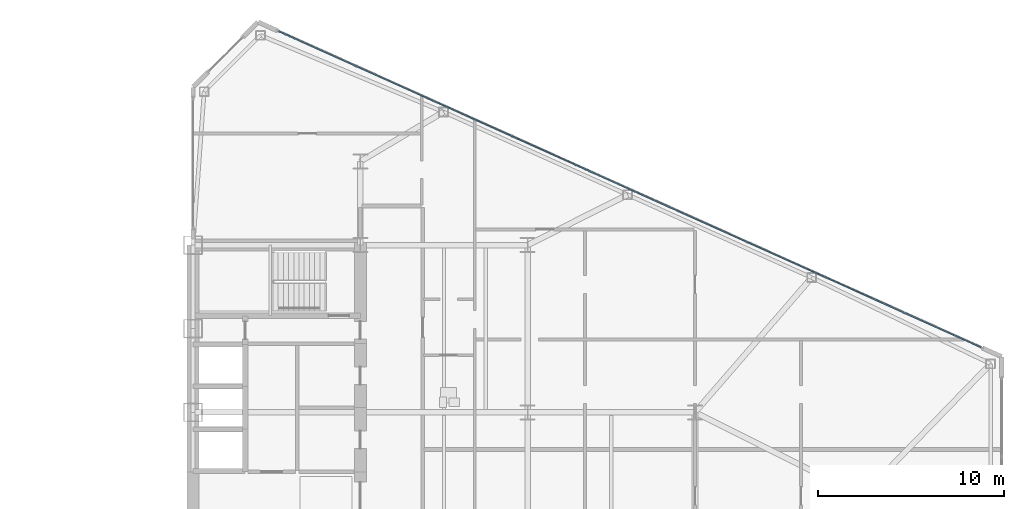
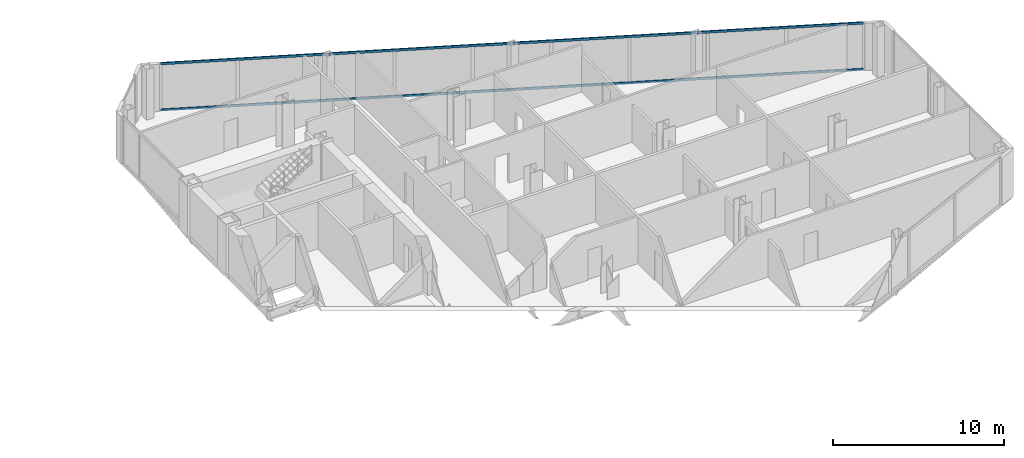
# One storey, part 14 of 27: 2 members, 1 element without a shape of its own.
"""IFC4 building model written with IfcOpenShell, lengths in metres."""

from ifc_helpers import new_model, si_unit, direction, frame, origin, origin_2d, place, context, subcontext, project, spatial, rectangle, extrude, source, transform, mapped, material, layer, layer_set, material_profile, profile_set, type_object, type_shapes, element, aggregate, save


model = new_model("IFC4")

# Units and contexts
model_context = context("Model", 3, precision=1e-05, world=origin(), true_north=direction((0.0, 1.0)))
body_context = subcontext(model_context, "Body", "Model", "MODEL_VIEW")
ifc_project = project(units=[si_unit("LENGTHUNIT", "METRE"), si_unit("AREAUNIT", "SQUARE_METRE"), si_unit("VOLUMEUNIT", "CUBIC_METRE"), si_unit("PLANEANGLEUNIT", "RADIAN"), si_unit("MASSUNIT", "GRAM", prefix="KILO")], contexts=[model_context])

# Site, building, storey
site_placement = place(None, origin())
site = spatial("IfcSite", under=ifc_project, at=site_placement, CompositionType="ELEMENT")
building_placement = place(site_placement, origin())
building = spatial("IfcBuilding", under=site, at=building_placement, Name="Seokmaru Belvedere", CompositionType="ELEMENT")
storey_placement = place(building_placement, frame((0.0, 0.0, 96.0)))
storey = spatial("IfcBuildingStorey", under=building, at=storey_placement, Name="L25", CompositionType="ELEMENT", Elevation=96.0)

# Curtain wall, members
ifc_material_1 = material(Name="Bronze Triple Insulating Glass", Category="glass")
ifc_layer = layer(ifc_material_1, 0.195068359375)
ifc_layer_set = layer_set([ifc_layer], Name="Bronze Triple Insulating Glass")
curtain_wall_type = type_object("IfcCurtainWallType", Name="Lower-Mid Tapered Curtain Wall System CW-3", PredefinedType="NOTDEFINED", material=ifc_layer_set)
curtain_wall_placement = place(storey_placement, origin())
curtain_wall = element("IfcCurtainWall", 1, at=curtain_wall_placement, inside=storey, type_object=curtain_wall_type, Name="L25 Curtain Wall EF3", PredefinedType="NOTDEFINED")
ifc_material_2 = material(Name="Anodised Bronze Aluminium", Category="aluminium")
ifc_material_profile = material_profile(ifc_material_2, rectangle(XDim=0.070068359375, YDim=0.1650390625, at=origin_2d()), Name="CW-T-70x165")
ifc_profile_set = profile_set([ifc_material_profile], Name="Anodised Bronze Aluminium")
member_type = type_object("IfcMemberType", Name="Bronze Unitised Transom 70x165", PredefinedType="USERDEFINED", material=ifc_profile_set)
shared_shape = source(origin(), body_context, "Body", "SweptSolid", [
    extrude(rectangle(XDim=0.070068359375, YDim=0.1650390625, at=origin_2d()), origin(), (0.0, 0.0, 1.0), 41.423583984375),
])
type_shapes(member_type, [shared_shape])
member_1_placement = place(storey_placement, frame((69.887451171875, 8.00048828125, 0.034912109375), z_axis=(-0.911918637916, 0.410371048956, 0.0), x_axis=(-0.410371048956, -0.911918637916, 0.0)))
member_1 = element("IfcMember", 2, at=member_1_placement, type_object=member_type, Name="CW:L25:EF3 Continuous Transom 1", ObjectType="TRANSOM", PredefinedType="USERDEFINED", context=body_context, shape_type="MappedRepresentation", body=[
    mapped(shared_shape, transform((0.0, 0.0, 0.0), scale=1.0)),
])
member_2_placement = place(storey_placement, frame((69.887451171875, 8.00048828125, 3.344970703125), z_axis=(-0.911918637916, 0.410371048956, 0.0), x_axis=(-0.410371048956, -0.911918637916, 0.0)))
member_2 = element("IfcMember", 3, at=member_2_placement, type_object=member_type, Name="CW:L25:EF3 Continuous Transom 2", ObjectType="TRANSOM", PredefinedType="USERDEFINED", context=body_context, shape_type="MappedRepresentation", body=[
    mapped(shared_shape, transform((0.0, 0.0, 0.0), scale=1.0)),
])
aggregate(curtain_wall, [member_1, member_2])

save(model, "model.ifc")
